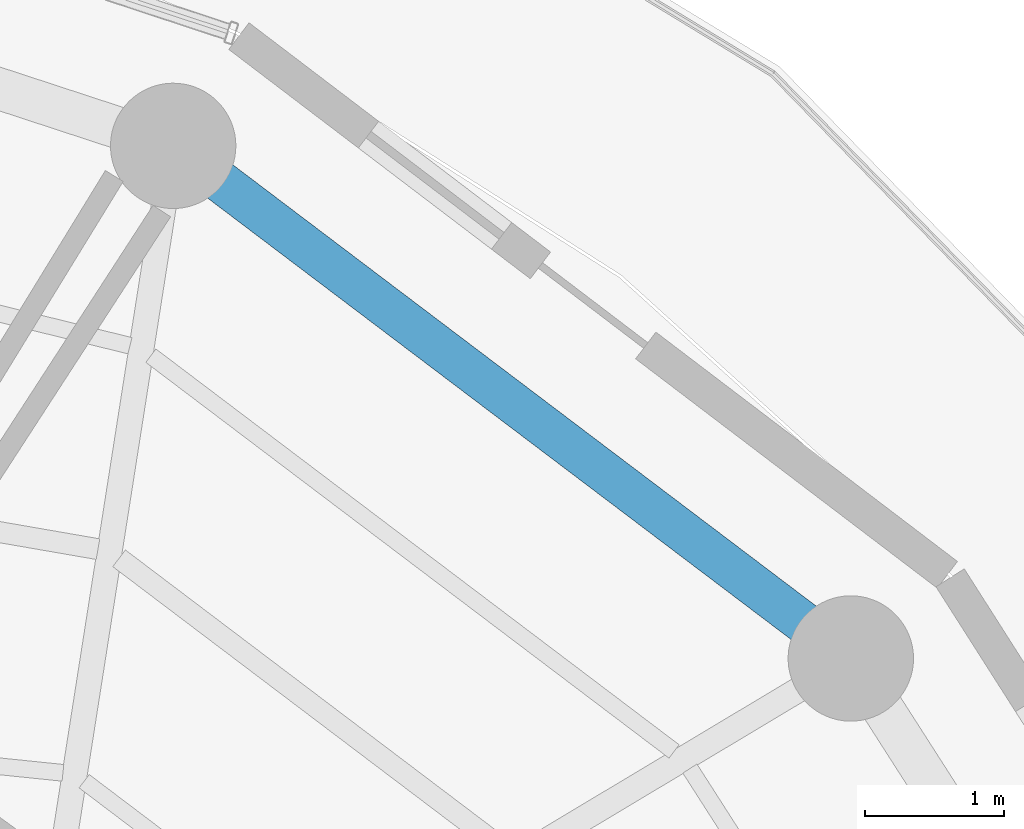
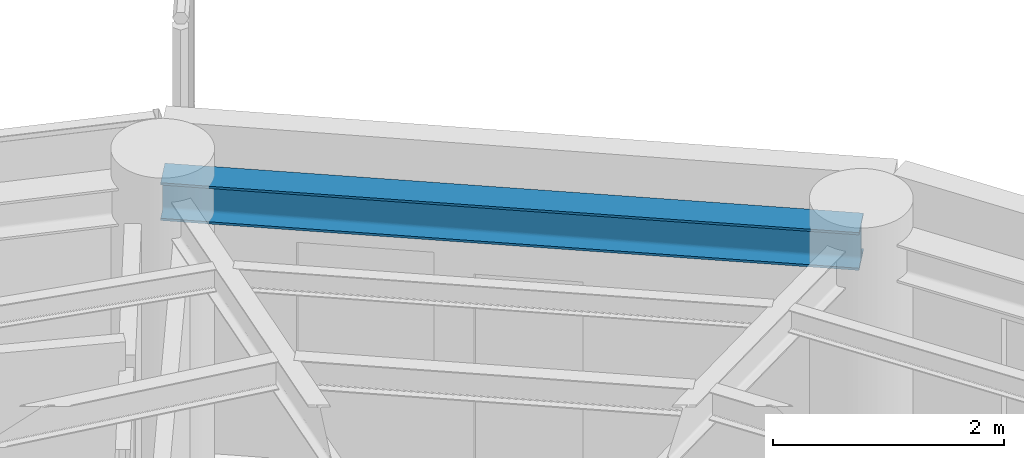
# One storey, part 12 of 23: 1 beam.
"""IFC4 building model written with IfcOpenShell, lengths in metres."""

from ifc_helpers import new_model, si_unit, direction, frame, origin, origin_2d, place, context, subcontext, project, spatial, i_section, extrude, material, material_profile, profile_set, type_object, element, save


model = new_model("IFC4")

# Units and contexts
model_context = context("Model", 3, precision=1e-05, world=origin(), true_north=direction((0.0, 1.0)))
body_context = subcontext(model_context, "Body", "Model", "MODEL_VIEW")
ifc_project = project(units=[si_unit("LENGTHUNIT", "METRE"), si_unit("AREAUNIT", "SQUARE_METRE"), si_unit("VOLUMEUNIT", "CUBIC_METRE"), si_unit("PLANEANGLEUNIT", "RADIAN"), si_unit("MASSUNIT", "GRAM", prefix="KILO")], contexts=[model_context])

# Site, building, storey
site_placement = place(None, origin())
site = spatial("IfcSite", under=ifc_project, at=site_placement, CompositionType="ELEMENT")
building_placement = place(site_placement, origin())
building = spatial("IfcBuilding", under=site, at=building_placement, Name="Kelanora Arch Commons", CompositionType="ELEMENT")
storey_placement = place(building_placement, frame((0.0, 0.0, 278.699951171875)))
storey = spatial("IfcBuildingStorey", under=building, at=storey_placement, Name="L71", CompositionType="ELEMENT", Elevation=278.699951171875)

# Beam
ifc_material = material(Name="Steel S355", Category="steel")
ifc_material_profile = material_profile(ifc_material, i_section(OverallWidth=0.300048828125, OverallDepth=0.39990234375, WebThickness=0.013427734375, FlangeThickness=0.02392578125, FilletRadius=0.027099609375, at=origin_2d()), Name="HEB400")
ifc_profile_set = profile_set([ifc_material_profile], Name="Steel S355")
beam_type = type_object("IfcBeamType", Name="BM-SPN-Z4", PredefinedType="SPANDREL", material=ifc_profile_set)
beam_placement = place(storey_placement, frame((88.00341796875, 68.593017578125, 3.2900390625), z_axis=(-0.797509460967, 0.603306439273, 0.0), x_axis=(-0.603306439273, -0.797509460967, 0.0)))
element("IfcBeam", 1, at=beam_placement, inside=storey, type_object=beam_type, Name="Perimeter Spandrel Beam BS-04 L71", PredefinedType="SPANDREL", context=body_context, shape_type="SweptSolid", body=[
    extrude(i_section(OverallWidth=0.300048828125, OverallDepth=0.39990234375, WebThickness=0.013427734375, FlangeThickness=0.02392578125, FilletRadius=0.027099609375, at=origin_2d()), origin(), (0.0, 0.0, 1.0), 6.098388671875),
])

save(model, "model.ifc")
